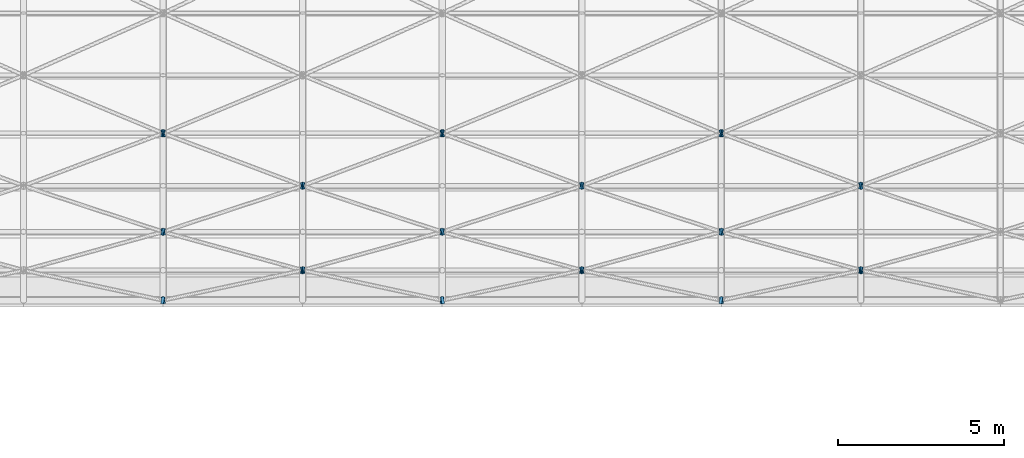
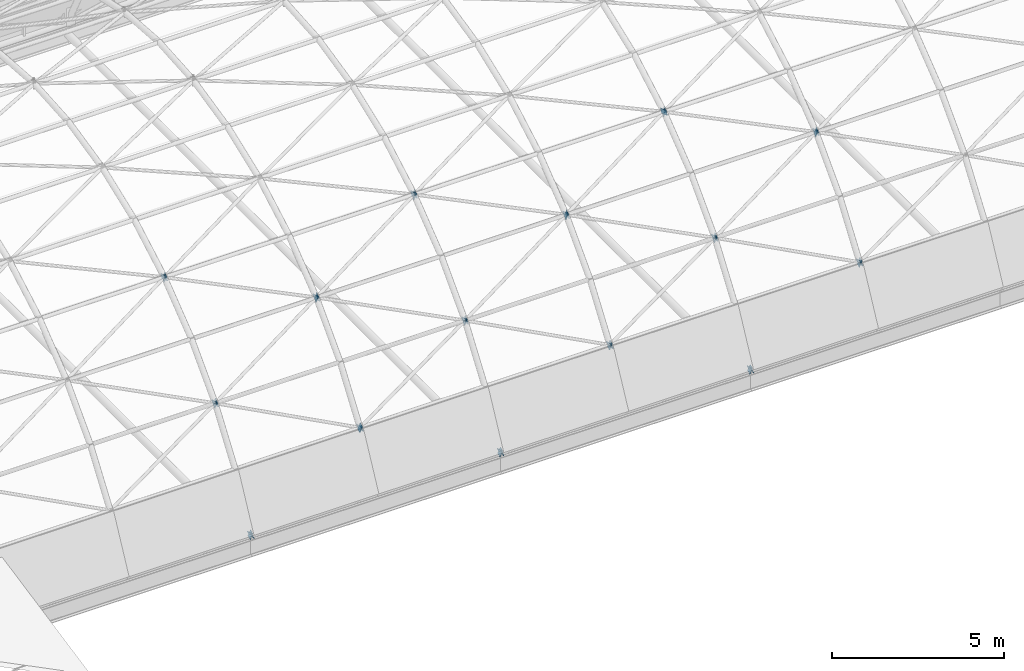
# One storey, part 101 of 121: 54 discrete accessories.
"""IFC4 building model written with IfcOpenShell, lengths in metres."""

import ifcopenshell
import ifcopenshell.guid

model = None  # the IFC model being written
_history = None  # IfcOwnerHistory: only IFC2X3 demands one
_inside = {}  # id of a spatial element -> (the spatial element, [elements in it])
_under = {}  # id of a project, library or spatial element -> (it, [spatial elements below it])
_declared = {}  # id of a project -> (the project, [libraries it declares])
_typed = {}  # id of a type object -> (the type object, [elements of that type])
_made_of = {}  # id of a material, layer set ... -> (it, [elements and type objects made of it])


def new_model(schema):
    """Start an empty IFC model of exactly this schema.

    Asked for "IFC4X3", IfcOpenShell would pick the latest addendum, in which some entities
    have other attributes; the version numbers below select the first issue.
    IFC2X3 requires an IfcOwnerHistory on every rooted entity: one is made here for all.
    """
    global model, _history
    if schema == "IFC4X3":
        model = ifcopenshell.file(schema_version=(4, 3, 0, 0))
    else:
        model = ifcopenshell.file(schema=schema)
    _inside.clear()
    _under.clear()
    _declared.clear()
    _typed.clear()
    _made_of.clear()
    _history = None
    if model.schema == "IFC2X3":
        org = make("IfcOrganization", Name="unknown")
        user = make(
            "IfcPersonAndOrganization",
            ThePerson=make("IfcPerson", FamilyName="unknown"),
            TheOrganization=org,
        )
        app = make(
            "IfcApplication",
            ApplicationDeveloper=org,
            Version="unknown",
            ApplicationFullName="unknown",
            ApplicationIdentifier="unknown",
        )
        _history = make(
            "IfcOwnerHistory",
            OwningUser=user,
            OwningApplication=app,
            ChangeAction="ADDED",
            CreationDate=0,
        )
    return model


def make(cls, **values):
    """One entity of the class cls with the attributes given. An attribute that is None is left unset."""
    return model.create_entity(
        cls, **{name: value for name, value in values.items() if value is not None}
    )


def rooted(cls, **values):
    """An entity with a GlobalId (a new one), such as an element, a storey or a relation."""
    return make(cls, GlobalId=ifcopenshell.guid.new(), OwnerHistory=_history, **values)


def si_unit(unit_type, name, prefix=None):
    """IfcSIUnit, for example si_unit("LENGTHUNIT", "METRE", prefix="MILLI")."""
    return make("IfcSIUnit", UnitType=unit_type, Prefix=prefix, Name=name)


def assignment(units):
    """IfcUnitAssignment: the units of a project."""
    return None if units is None else make("IfcUnitAssignment", Units=units)


def point(xyz):
    """IfcCartesianPoint."""
    return None if xyz is None else make("IfcCartesianPoint", Coordinates=xyz)


def direction(xyz):
    """IfcDirection."""
    return None if xyz is None else make("IfcDirection", DirectionRatios=xyz)


def frame(location, z_axis=None, x_axis=None):
    """IfcAxis2Placement3D, a coordinate frame: its origin and axes. An axis left out is left unset."""
    return make(
        "IfcAxis2Placement3D",
        Location=point(location),
        Axis=direction(z_axis),
        RefDirection=direction(x_axis),
    )


def frame_2d(location, x_axis=None):
    """IfcAxis2Placement2D, a coordinate frame in the plane: its origin and x axis."""
    return make(
        "IfcAxis2Placement2D", Location=point(location), RefDirection=direction(x_axis)
    )


def origin():
    """The frame at (0, 0, 0) with its axes left unset."""
    return frame((0.0, 0.0, 0.0))


def origin_2d():
    """The frame at (0, 0) in the plane with its x axis left unset."""
    return frame_2d((0.0, 0.0))


def place(relative_to, where):
    """IfcLocalPlacement: puts the frame where relative to a parent placement (None: the world)."""
    return make(
        "IfcLocalPlacement", PlacementRelTo=relative_to, RelativePlacement=where
    )


def context(
    kind, dimensions, precision=None, world=None, true_north=None, identifier=None
):
    """IfcGeometricRepresentationContext, for example the 3D "Model" context."""
    return make(
        "IfcGeometricRepresentationContext",
        ContextIdentifier=identifier,
        ContextType=kind,
        CoordinateSpaceDimension=dimensions,
        Precision=precision,
        WorldCoordinateSystem=world,
        TrueNorth=true_north,
    )


def subcontext(parent, identifier, kind, view, scale=None):
    """IfcGeometricRepresentationSubContext, for example "Body" below "Model"."""
    return make(
        "IfcGeometricRepresentationSubContext",
        ContextIdentifier=identifier,
        ContextType=kind,
        ParentContext=parent,
        TargetScale=scale,
        TargetView=view,
    )


def project(units=None, contexts=None):
    """IfcProject with its units and contexts."""
    return rooted(
        "IfcProject",
        Name="project",
        RepresentationContexts=contexts,
        UnitsInContext=assignment(units),
    )


def spatial(cls, under=None, at=None, **own):
    """A site, building, storey or space (cls), placed at a placement, below another one or the project."""
    s = rooted(cls, ObjectPlacement=at, **own)
    if under is not None:
        _under.setdefault(under.id(), (under, []))[1].append(s)
    return s


def profile(cls, at=None, kind="AREA", **sizes):
    """A parametric profile (cls). Its sizes go by their IFC names, for example OverallWidth=200.0."""
    return make(cls, ProfileType=kind, Position=at, **sizes)


def rectangle(**sizes):
    """IfcRectangleProfileDef."""
    return profile("IfcRectangleProfileDef", **sizes)


def extrude(swept, where, along, depth):
    """IfcExtrudedAreaSolid: the profile swept, set in the frame where, extruded along a direction by depth."""
    return make(
        "IfcExtrudedAreaSolid",
        SweptArea=swept,
        Position=where,
        ExtrudedDirection=direction(along),
        Depth=depth,
    )


def shape(context_of_items, identifier, shape_type, items):
    """IfcShapeRepresentation: the items that make up one representation, for example the "Body"."""
    return make(
        "IfcShapeRepresentation",
        ContextOfItems=context_of_items,
        RepresentationIdentifier=identifier,
        RepresentationType=shape_type,
        Items=items,
    )


def material(Name=None, Category=None):
    """IfcMaterial."""
    return make("IfcMaterial", Name=Name, Category=Category)


def material_profile(
    of_material, cross_section, Name=None, Category=None, Priority=None
):
    """IfcMaterialProfile: a cross section and its material."""
    return make(
        "IfcMaterialProfile",
        Name=Name,
        Material=of_material,
        Profile=cross_section,
        Priority=Priority,
        Category=Category,
    )


def profile_set(profiles, Name=None, composite=None):
    """IfcMaterialProfileSet."""
    return make(
        "IfcMaterialProfileSet",
        Name=Name,
        MaterialProfiles=profiles,
        CompositeProfile=composite,
    )


def made_of(thing, what):
    """Note that an element or type object is made of a material, layer set ...; save() writes the relation."""
    if what is not None:
        _made_of.setdefault(what.id(), (what, []))[1].append(thing)
    return thing


def type_object(cls, material=None, **own):
    """A type object (cls), such as IfcWallType, which elements share."""
    return made_of(rooted(cls, **own), material)


def element(
    cls,
    number,
    at=None,
    inside=None,
    cuts=None,
    type_object=None,
    material=None,
    context=None,
    identifier="Body",
    shape_type=None,
    held_by="IfcProductDefinitionShape",
    body=None,
    shapes=None,
    **own,
):
    """One element of the class cls, such as IfcWall. Its Tag is "e" and its number.

    at: its placement. inside: the storey or other place that contains it. cuts: it is an
    opening in that element (IfcRelVoidsElement). A single representation is given by context,
    identifier, shape_type and body (its items); several are given by shapes. held_by: the class
    of the entity that holds the representations. save() writes the other relations.
    """
    e = rooted(cls, Tag="e%d" % number, ObjectPlacement=at, **own)
    if body is not None:
        shapes = [shape(context, identifier, shape_type, body)]
    if shapes is not None:
        e.Representation = make(held_by, Representations=shapes)
    if inside is not None:
        _inside.setdefault(inside.id(), (inside, []))[1].append(e)
    if cuts is not None:
        rooted(
            "IfcRelVoidsElement", RelatingBuildingElement=cuts, RelatedOpeningElement=e
        )
    if type_object is not None:
        _typed.setdefault(type_object.id(), (type_object, []))[1].append(e)
    return made_of(e, material)


def aggregate(whole, parts):
    """IfcRelAggregates: a whole, such as a stair, and the parts it consists of."""
    return rooted("IfcRelAggregates", RelatingObject=whole, RelatedObjects=parts)


def save(model, path):
    """Write the relations noted so far, then the file.

    IfcRelAggregates (storeys below a building ...), IfcRelContainedInSpatialStructure (elements
    in a storey), IfcRelDefinesByType, IfcRelAssociatesMaterial and IfcRelDeclares: one each for
    every whole, place, type object, material and project.
    """
    for whole, parts in _under.values():
        aggregate(whole, parts)
    for where, things in _inside.values():
        rooted(
            "IfcRelContainedInSpatialStructure",
            RelatedElements=things,
            RelatingStructure=where,
        )
    for kind, things in _typed.values():
        rooted("IfcRelDefinesByType", RelatedObjects=things, RelatingType=kind)
    for what, things in _made_of.values():
        rooted("IfcRelAssociatesMaterial", RelatedObjects=things, RelatingMaterial=what)
    for by, libraries in _declared.values():
        rooted("IfcRelDeclares", RelatingContext=by, RelatedDefinitions=libraries)
    model.write(path)


model = new_model("IFC4")

# Units and contexts
model_context = context("Model", 3, precision=1e-05, world=origin(), true_north=direction((0.0, 1.0)))
body_context = subcontext(model_context, "Body", "Model", "MODEL_VIEW")
ifc_project = project(units=[si_unit("LENGTHUNIT", "METRE"), si_unit("AREAUNIT", "SQUARE_METRE"), si_unit("VOLUMEUNIT", "CUBIC_METRE"), si_unit("PLANEANGLEUNIT", "RADIAN"), si_unit("MASSUNIT", "GRAM", prefix="KILO")], contexts=[model_context])

# Site, building, storey
site_placement = place(None, origin())
site = spatial("IfcSite", under=ifc_project, at=site_placement, CompositionType="ELEMENT")
building_placement = place(site_placement, origin())
building = spatial("IfcBuilding", under=site, at=building_placement, Name="Ardhachandra Cancer Care Centre", CompositionType="ELEMENT")
storey_placement = place(building_placement, frame((0.0, 0.0, 9.0)))
storey = spatial("IfcBuildingStorey", under=building, at=storey_placement, Name="L02", CompositionType="ELEMENT", Elevation=9.0)

# Discrete accessories
ifc_material = material(Name="Steel E250 (IS 2062)", Category="steel")
ifc_material_profile = material_profile(ifc_material, rectangle(XDim=0.21435546875, YDim=0.21435546875, at=origin_2d()), Name="PL 214x214x12")
ifc_profile_set = profile_set([ifc_material_profile], Name="Steel E250 (IS 2062)")
discrete_accessory_type = type_object("IfcDiscreteAccessoryType", Name="Diagonal end plate 214 x 214 x 12", PredefinedType="BRACKET", material=ifc_profile_set)
for number, where, z_axis, x_axis, name in (
    (1, (52.800048828125, 54.60009765625, 0.0), (-0.905999460427, 0.181199892085, 0.382533105514), (-0.196116135138, -0.980580675691, 0.0), "Diagonal end plate Hall shell diagonal 02-00 1"),
    (2, (52.800048828125, 56.662109375, 3.426025390625), (-0.903075694963, -0.260888534101, -0.341161929208), (0.277539652821, -0.960714182841, 0.0), "Diagonal end plate Hall shell diagonal 01-01 2"),
):
    element("IfcDiscreteAccessory", number, at=place(storey_placement, frame(where, z_axis=z_axis, x_axis=x_axis)), inside=storey, type_object=discrete_accessory_type, Name=name, PredefinedType="BRACKET", context=body_context, shape_type="SweptSolid", body=[
        extrude(rectangle(XDim=0.21435546875, YDim=0.21435546875, at=origin_2d()), origin(), (0.0, 0.0, 1.0), 0.01220703125),
    ])
discrete_accessory_1_placement = place(storey_placement, frame((52.800048828125, 56.662109375, 3.426025390625), z_axis=(-0.909880352984, 0.283073887595, 0.303293450995), x_axis=(-0.297066552636, -0.954856776331, 0.0)))
element("IfcDiscreteAccessory", 3, at=discrete_accessory_1_placement, inside=storey, type_object=discrete_accessory_type, Name="Diagonal end plate Hall shell diagonal 02-02 1", PredefinedType="BRACKET", context=body_context, shape_type="SweptSolid", body=[
    extrude(rectangle(XDim=0.21435546875, YDim=0.21435546875, at=origin_2d()), origin(), (0.0, 0.0, 1.0), 0.011962890625),
])
for number, where, z_axis, x_axis, name in (
    (4, (52.800048828125, 59.62841796875, 6.107421875), (-0.903075694963, -0.341161929208, -0.260888534101), (0.353400568719, -0.935472093667, 0.0), "Diagonal end plate Hall shell diagonal 01-03 2"),
    (5, (52.800048828125, 59.62841796875, 6.107421875), (-0.905449091159, 0.362179636463, 0.221332000061), (-0.371390676354, -0.928476690885, 0.0), "Diagonal end plate Hall shell diagonal 02-04 1"),
):
    element("IfcDiscreteAccessory", number, at=place(storey_placement, frame(where, z_axis=z_axis, x_axis=x_axis)), inside=storey, type_object=discrete_accessory_type, Name=name, PredefinedType="BRACKET", context=body_context, shape_type="SweptSolid", body=[
        extrude(rectangle(XDim=0.21435546875, YDim=0.21435546875, at=origin_2d()), origin(), (0.0, 0.0, 1.0), 0.01220703125),
    ])
for number, where, z_axis, x_axis, name in (
    (6, (52.800048828125, 54.60009765625, 0.0), (0.902291261515, 0.184559576219, 0.389625772018), (-0.200396236149, 0.979714932283, 0.0), "Diagonal end plate Hall shell diagonal 02-00 1"),
    (7, (57.0, 55.5048828125, 1.788818359375), (-0.905725666552, -0.205846742398, -0.370524136317), (0.221621103589, -0.975132855791, 0.0), "Diagonal end plate Hall shell diagonal 02-00 2"),
    (8, (57.0, 55.5048828125, 1.788818359375), (-0.897398718093, 0.244745104934, 0.367117657402), (-0.263117405792, -0.964763821238, 0.0), "Diagonal end plate Hall shell diagonal 03-01 1"),
    (9, (52.800048828125, 56.662109375, 3.426025390625), (0.899271031245, -0.265693713777, -0.347445625708), (0.283346141017, 0.959017708059, 0.0), "Diagonal end plate Hall shell diagonal 03-01 2"),
    (10, (52.800048828125, 56.662109375, 3.426025390625), (0.906301889068, 0.288368782885, 0.308966553091), (-0.303203657277, 0.952925780013, 0.0), "Diagonal end plate Hall shell diagonal 02-02 1"),
    (11, (57.0, 58.04638671875, 4.8759765625), (-0.906301889068, -0.288368782885, -0.308966553091), (0.303203657277, -0.952925780013, 0.0), "Diagonal end plate Hall shell diagonal 02-02 2"),
    (12, (57.0, 58.04638671875, 4.8759765625), (-0.899271031245, 0.347445625708, 0.265693713777), (-0.360399279202, -0.932798134406, 0.0), "Diagonal end plate Hall shell diagonal 03-03 1"),
    (13, (52.800048828125, 59.62841796875, 6.107421875), (0.899271031245, -0.347445625708, -0.265693713777), (0.360399279202, 0.932798134406, 0.0), "Diagonal end plate Hall shell diagonal 03-03 2"),
    (14, (52.800048828125, 59.62841796875, 6.107421875), (0.901722650223, 0.368886538728, 0.225430662556), (-0.378632845721, 0.925546956206, 0.0), "Diagonal end plate Hall shell diagonal 02-04 1"),
    (15, (61.199951171875, 54.60009765625, 0.0), (-0.902291261515, 0.184559576219, 0.389625772018), (-0.200396236149, -0.979714932283, 0.0), "Diagonal end plate Hall shell diagonal 04-00 1"),
    (16, (57.0, 55.5048828125, 1.788818359375), (0.905725666552, -0.205846742398, -0.370524136317), (0.221621103589, 0.975132855791, 0.0), "Diagonal end plate Hall shell diagonal 04-00 2"),
    (17, (57.0, 55.5048828125, 1.788818359375), (0.897398718093, 0.244745104934, 0.367117657402), (-0.263117405792, 0.964763821238, 0.0), "Diagonal end plate Hall shell diagonal 03-01 1"),
    (18, (61.199951171875, 56.662109375, 3.426025390625), (-0.899271031245, -0.265693713777, -0.347445625708), (0.283346141017, -0.959017708059, 0.0), "Diagonal end plate Hall shell diagonal 03-01 2"),
    (19, (61.199951171875, 56.662109375, 3.426025390625), (-0.906301889068, 0.288368782885, 0.308966553091), (-0.303203657277, -0.952925780013, 0.0), "Diagonal end plate Hall shell diagonal 04-02 1"),
    (20, (57.0, 58.04638671875, 4.8759765625), (0.906301889068, -0.288368782885, -0.308966553091), (0.303203657277, 0.952925780013, 0.0), "Diagonal end plate Hall shell diagonal 04-02 2"),
    (21, (57.0, 58.04638671875, 4.8759765625), (0.899271031245, 0.347445625708, 0.265693713777), (-0.360399279202, 0.932798134406, 0.0), "Diagonal end plate Hall shell diagonal 03-03 1"),
    (22, (61.199951171875, 59.62841796875, 6.107421875), (-0.899271031245, -0.347445625708, -0.265693713777), (0.360399279202, -0.932798134406, 0.0), "Diagonal end plate Hall shell diagonal 03-03 2"),
    (23, (61.199951171875, 59.62841796875, 6.107421875), (-0.901722650223, 0.368886538728, 0.225430662556), (-0.378632845721, -0.925546956206, 0.0), "Diagonal end plate Hall shell diagonal 04-04 1"),
):
    element("IfcDiscreteAccessory", number, at=place(storey_placement, frame(where, z_axis=z_axis, x_axis=x_axis)), inside=storey, type_object=discrete_accessory_type, Name=name, PredefinedType="BRACKET", context=body_context, shape_type="SweptSolid", body=[
        extrude(rectangle(XDim=0.21435546875, YDim=0.21435546875, at=origin_2d()), origin(), (0.0, 0.0, 1.0), 0.011962890625),
    ])
discrete_accessory_2_placement = place(storey_placement, frame((61.199951171875, 54.60009765625, 0.0), z_axis=(0.905999460427, 0.181199892085, 0.382533105514), x_axis=(-0.196116135138, 0.980580675691, 0.0)))
element("IfcDiscreteAccessory", 24, at=discrete_accessory_2_placement, inside=storey, type_object=discrete_accessory_type, Name="Diagonal end plate Hall shell diagonal 04-00 1", PredefinedType="BRACKET", context=body_context, shape_type="SweptSolid", body=[
    extrude(rectangle(XDim=0.21435546875, YDim=0.21435546875, at=origin_2d()), origin(), (0.0, 0.0, 1.0), 0.01220703125),
])
for number, where, z_axis, x_axis, name in (
    (25, (65.39990234375, 55.5048828125, 1.788818359375), (-0.905725666552, -0.205846742398, -0.370524136317), (0.221621103589, -0.975132855791, 0.0), "Diagonal end plate Hall shell diagonal 04-00 2"),
    (26, (65.39990234375, 55.5048828125, 1.788818359375), (-0.897398718093, 0.244745104934, 0.367117657402), (-0.263117405792, -0.964763821238, 0.0), "Diagonal end plate Hall shell diagonal 05-01 1"),
):
    element("IfcDiscreteAccessory", number, at=place(storey_placement, frame(where, z_axis=z_axis, x_axis=x_axis)), inside=storey, type_object=discrete_accessory_type, Name=name, PredefinedType="BRACKET", context=body_context, shape_type="SweptSolid", body=[
        extrude(rectangle(XDim=0.21435546875, YDim=0.21435546875, at=origin_2d()), origin(), (0.0, 0.0, 1.0), 0.011962890625),
    ])
discrete_accessory_3_placement = place(storey_placement, frame((61.199951171875, 56.662109375, 3.426025390625), z_axis=(0.903075694963, -0.260888534101, -0.341161929208), x_axis=(0.277539652821, 0.960714182841, 0.0)))
element("IfcDiscreteAccessory", 27, at=discrete_accessory_3_placement, inside=storey, type_object=discrete_accessory_type, Name="Diagonal end plate Hall shell diagonal 05-01 2", PredefinedType="BRACKET", context=body_context, shape_type="SweptSolid", body=[
    extrude(rectangle(XDim=0.21435546875, YDim=0.21435546875, at=origin_2d()), origin(), (0.0, 0.0, 1.0), 0.01220703125),
])
for number, where, z_axis, x_axis, name in (
    (28, (61.199951171875, 56.662109375, 3.426025390625), (0.909880352984, 0.283073887595, 0.303293450995), (-0.297066552636, 0.954856776331, 0.0), "Diagonal end plate Hall shell diagonal 04-02 1"),
    (29, (65.39990234375, 58.04638671875, 4.8759765625), (-0.906301889068, -0.288368782885, -0.308966553091), (0.303203657277, -0.952925780013, 0.0), "Diagonal end plate Hall shell diagonal 04-02 2"),
    (30, (65.39990234375, 58.04638671875, 4.8759765625), (-0.899271031245, 0.347445625708, 0.265693713777), (-0.360399279202, -0.932798134406, 0.0), "Diagonal end plate Hall shell diagonal 05-03 1"),
):
    element("IfcDiscreteAccessory", number, at=place(storey_placement, frame(where, z_axis=z_axis, x_axis=x_axis)), inside=storey, type_object=discrete_accessory_type, Name=name, PredefinedType="BRACKET", context=body_context, shape_type="SweptSolid", body=[
        extrude(rectangle(XDim=0.21435546875, YDim=0.21435546875, at=origin_2d()), origin(), (0.0, 0.0, 1.0), 0.011962890625),
    ])
for number, where, z_axis, x_axis, name in (
    (31, (61.199951171875, 59.62841796875, 6.107421875), (0.903075694963, -0.341161929208, -0.260888534101), (0.353400568719, 0.935472093667, 0.0), "Diagonal end plate Hall shell diagonal 05-03 2"),
    (32, (61.199951171875, 59.62841796875, 6.107421875), (0.905449091159, 0.362179636463, 0.221332000061), (-0.371390676354, 0.928476690885, 0.0), "Diagonal end plate Hall shell diagonal 04-04 1"),
    (33, (69.60009765625, 54.60009765625, 0.0), (-0.905999460427, 0.181199892085, 0.382533105514), (-0.196116135138, -0.980580675691, 0.0), "Diagonal end plate Hall shell diagonal 06-00 1"),
):
    element("IfcDiscreteAccessory", number, at=place(storey_placement, frame(where, z_axis=z_axis, x_axis=x_axis)), inside=storey, type_object=discrete_accessory_type, Name=name, PredefinedType="BRACKET", context=body_context, shape_type="SweptSolid", body=[
        extrude(rectangle(XDim=0.21435546875, YDim=0.21435546875, at=origin_2d()), origin(), (0.0, 0.0, 1.0), 0.01220703125),
    ])
discrete_accessory_4_placement = place(storey_placement, frame((65.39990234375, 55.5048828125, 1.788818359375), z_axis=(0.909322885136, -0.202071752252, -0.363729154054), x_axis=(0.216930457819, 0.976187060184, 0.0)))
element("IfcDiscreteAccessory", 34, at=discrete_accessory_4_placement, inside=storey, type_object=discrete_accessory_type, Name="Diagonal end plate Hall shell diagonal 06-00 2", PredefinedType="BRACKET", context=body_context, shape_type="SweptSolid", body=[
    extrude(rectangle(XDim=0.21435546875, YDim=0.21435546875, at=origin_2d()), origin(), (0.0, 0.0, 1.0), 0.011962890625),
])
for number, where, z_axis, x_axis, name in (
    (35, (65.39990234375, 55.5048828125, 1.788818359375), (0.901262652189, 0.24033670725, 0.360505060876), (-0.25766265056, 0.966234939601, 0.0), "Diagonal end plate Hall shell diagonal 05-01 1"),
    (36, (69.60009765625, 56.662109375, 3.426025390625), (-0.903075694963, -0.260888534101, -0.341161929208), (0.277539652821, -0.960714182841, 0.0), "Diagonal end plate Hall shell diagonal 05-01 2"),
):
    element("IfcDiscreteAccessory", number, at=place(storey_placement, frame(where, z_axis=z_axis, x_axis=x_axis)), inside=storey, type_object=discrete_accessory_type, Name=name, PredefinedType="BRACKET", context=body_context, shape_type="SweptSolid", body=[
        extrude(rectangle(XDim=0.21435546875, YDim=0.21435546875, at=origin_2d()), origin(), (0.0, 0.0, 1.0), 0.01220703125),
    ])
for number, where, z_axis, x_axis, name in (
    (37, (69.60009765625, 56.662109375, 3.426025390625), (-0.909880352984, 0.283073887595, 0.303293450995), (-0.297066552636, -0.954856776331, 0.0), "Diagonal end plate Hall shell diagonal 06-02 1"),
    (38, (65.39990234375, 58.04638671875, 4.8759765625), (0.909880352984, -0.283073887595, -0.303293450995), (0.297066552636, 0.954856776331, 0.0), "Diagonal end plate Hall shell diagonal 06-02 2"),
):
    element("IfcDiscreteAccessory", number, at=place(storey_placement, frame(where, z_axis=z_axis, x_axis=x_axis)), inside=storey, type_object=discrete_accessory_type, Name=name, PredefinedType="BRACKET", context=body_context, shape_type="SweptSolid", body=[
        extrude(rectangle(XDim=0.21435546875, YDim=0.21435546875, at=origin_2d()), origin(), (0.0, 0.0, 1.0), 0.011962890625),
    ])
for number, where, z_axis, x_axis, name in (
    (39, (65.39990234375, 58.04638671875, 4.8759765625), (0.903075694963, 0.341161929208, 0.260888534101), (-0.353400568719, 0.935472093667, 0.0), "Diagonal end plate Hall shell diagonal 05-03 1"),
    (40, (69.60009765625, 59.62841796875, 6.107421875), (-0.903075694963, -0.341161929208, -0.260888534101), (0.353400568719, -0.935472093667, 0.0), "Diagonal end plate Hall shell diagonal 05-03 2"),
    (41, (69.60009765625, 59.62841796875, 6.107421875), (-0.905449091159, 0.362179636463, 0.221332000061), (-0.371390676354, -0.928476690885, 0.0), "Diagonal end plate Hall shell diagonal 06-04 1"),
):
    element("IfcDiscreteAccessory", number, at=place(storey_placement, frame(where, z_axis=z_axis, x_axis=x_axis)), inside=storey, type_object=discrete_accessory_type, Name=name, PredefinedType="BRACKET", context=body_context, shape_type="SweptSolid", body=[
        extrude(rectangle(XDim=0.21435546875, YDim=0.21435546875, at=origin_2d()), origin(), (0.0, 0.0, 1.0), 0.01220703125),
    ])
for number, where, z_axis, x_axis, name in (
    (42, (69.60009765625, 54.60009765625, 0.0), (0.902291261515, 0.184559576219, 0.389625772018), (-0.200396236149, 0.979714932283, 0.0), "Diagonal end plate Hall shell diagonal 06-00 1"),
    (43, (73.800048828125, 55.5048828125, 1.788818359375), (-0.909322885136, -0.202071752252, -0.363729154054), (0.216930457819, -0.976187060184, 0.0), "Diagonal end plate Hall shell diagonal 06-00 2"),
):
    element("IfcDiscreteAccessory", number, at=place(storey_placement, frame(where, z_axis=z_axis, x_axis=x_axis)), inside=storey, type_object=discrete_accessory_type, Name=name, PredefinedType="BRACKET", context=body_context, shape_type="SweptSolid", body=[
        extrude(rectangle(XDim=0.21435546875, YDim=0.21435546875, at=origin_2d()), origin(), (0.0, 0.0, 1.0), 0.011962890625),
    ])
discrete_accessory_5_placement = place(storey_placement, frame((73.800048828125, 55.5048828125, 1.788818359375), z_axis=(-0.901262652189, 0.24033670725, 0.360505060876), x_axis=(-0.25766265056, -0.966234939601, 0.0)))
element("IfcDiscreteAccessory", 44, at=discrete_accessory_5_placement, inside=storey, type_object=discrete_accessory_type, Name="Diagonal end plate Hall shell diagonal 07-01 1", PredefinedType="BRACKET", context=body_context, shape_type="SweptSolid", body=[
    extrude(rectangle(XDim=0.21435546875, YDim=0.21435546875, at=origin_2d()), origin(), (0.0, 0.0, 1.0), 0.01220703125),
])
for number, where, z_axis, x_axis, name in (
    (45, (69.60009765625, 56.662109375, 3.426025390625), (0.899271031245, -0.265693713777, -0.347445625708), (0.283346141017, 0.959017708059, 0.0), "Diagonal end plate Hall shell diagonal 07-01 2"),
    (46, (69.60009765625, 56.662109375, 3.426025390625), (0.906301889068, 0.288368782885, 0.308966553091), (-0.303203657277, 0.952925780013, 0.0), "Diagonal end plate Hall shell diagonal 06-02 1"),
    (47, (73.800048828125, 58.04638671875, 4.8759765625), (-0.909880352984, -0.283073887595, -0.303293450995), (0.297066552636, -0.954856776331, 0.0), "Diagonal end plate Hall shell diagonal 06-02 2"),
):
    element("IfcDiscreteAccessory", number, at=place(storey_placement, frame(where, z_axis=z_axis, x_axis=x_axis)), inside=storey, type_object=discrete_accessory_type, Name=name, PredefinedType="BRACKET", context=body_context, shape_type="SweptSolid", body=[
        extrude(rectangle(XDim=0.21435546875, YDim=0.21435546875, at=origin_2d()), origin(), (0.0, 0.0, 1.0), 0.011962890625),
    ])
discrete_accessory_6_placement = place(storey_placement, frame((73.800048828125, 58.04638671875, 4.8759765625), z_axis=(-0.903075694963, 0.341161929208, 0.260888534101), x_axis=(-0.353400568719, -0.935472093667, 0.0)))
element("IfcDiscreteAccessory", 48, at=discrete_accessory_6_placement, inside=storey, type_object=discrete_accessory_type, Name="Diagonal end plate Hall shell diagonal 07-03 1", PredefinedType="BRACKET", context=body_context, shape_type="SweptSolid", body=[
    extrude(rectangle(XDim=0.21435546875, YDim=0.21435546875, at=origin_2d()), origin(), (0.0, 0.0, 1.0), 0.01220703125),
])
for number, where, z_axis, x_axis, name in (
    (49, (69.60009765625, 59.62841796875, 6.107421875), (0.899271031245, -0.347445625708, -0.265693713777), (0.360399279202, 0.932798134406, 0.0), "Diagonal end plate Hall shell diagonal 07-03 2"),
    (50, (69.60009765625, 59.62841796875, 6.107421875), (0.901722650223, 0.368886538728, 0.225430662556), (-0.378632845721, 0.925546956206, 0.0), "Diagonal end plate Hall shell diagonal 06-04 1"),
    (51, (73.800048828125, 55.5048828125, 1.788818359375), (0.905725666552, -0.205846742398, -0.370524136317), (0.221621103589, 0.975132855791, 0.0), "Diagonal end plate Hall shell diagonal 08-00 2"),
    (52, (73.800048828125, 55.5048828125, 1.788818359375), (0.897398718093, 0.244745104934, 0.367117657402), (-0.263117405792, 0.964763821238, 0.0), "Diagonal end plate Hall shell diagonal 07-01 1"),
    (53, (73.800048828125, 58.04638671875, 4.8759765625), (0.906301889068, -0.288368782885, -0.308966553091), (0.303203657277, 0.952925780013, 0.0), "Diagonal end plate Hall shell diagonal 08-02 2"),
    (54, (73.800048828125, 58.04638671875, 4.8759765625), (0.899271031245, 0.347445625708, 0.265693713777), (-0.360399279202, 0.932798134406, 0.0), "Diagonal end plate Hall shell diagonal 07-03 1"),
):
    element("IfcDiscreteAccessory", number, at=place(storey_placement, frame(where, z_axis=z_axis, x_axis=x_axis)), inside=storey, type_object=discrete_accessory_type, Name=name, PredefinedType="BRACKET", context=body_context, shape_type="SweptSolid", body=[
        extrude(rectangle(XDim=0.21435546875, YDim=0.21435546875, at=origin_2d()), origin(), (0.0, 0.0, 1.0), 0.011962890625),
    ])

save(model, "model.ifc")
